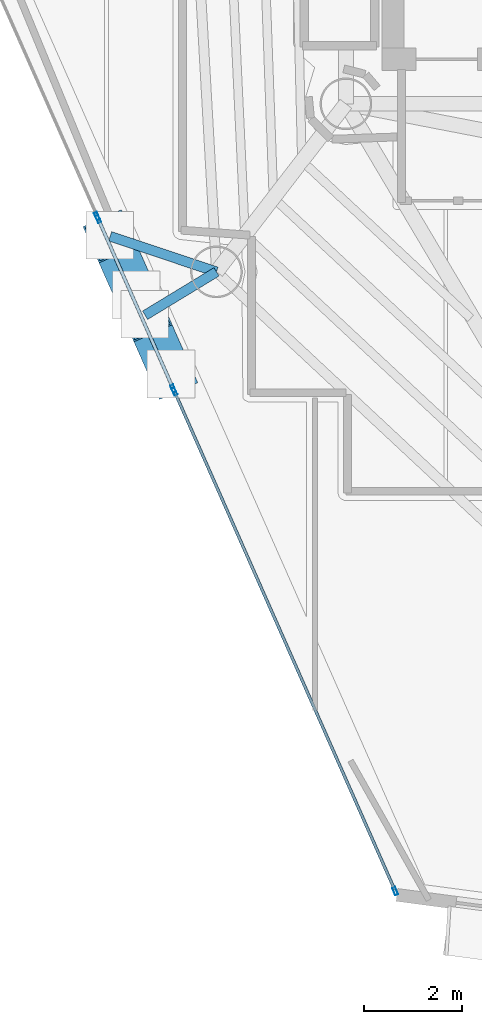
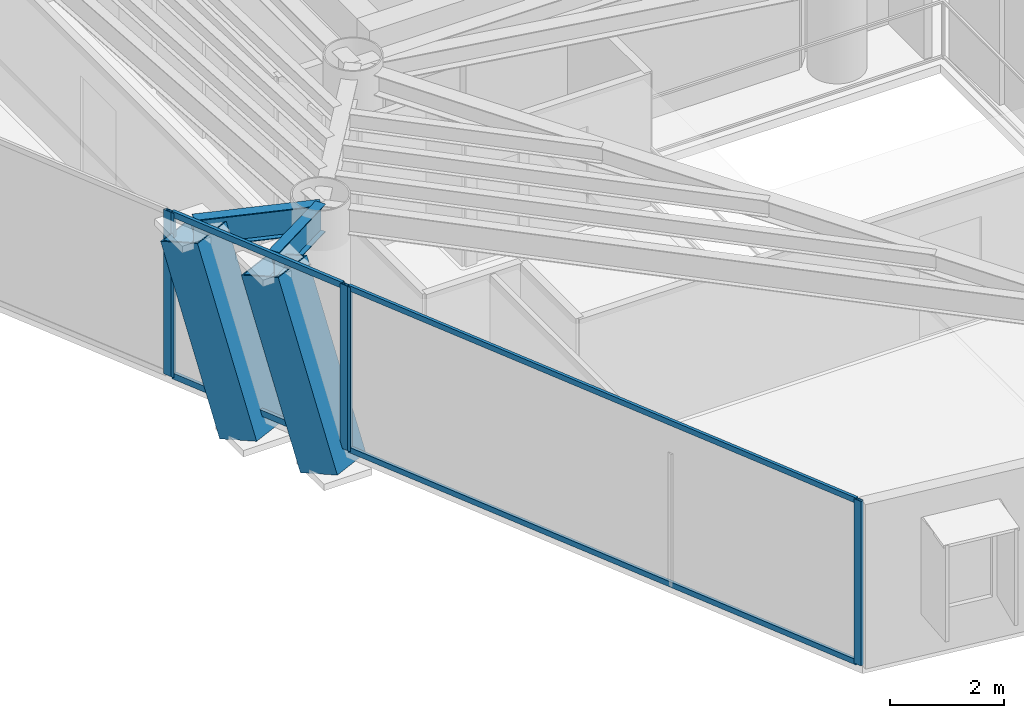
# One storey, part 2 of 21: 11 members, 2 beams, 3 elements without a shape of their own.
"""IFC4 building model written with IfcOpenShell, lengths in metres."""

from ifc_helpers import new_model, si_unit, direction, frame, origin, origin_2d, place, context, subcontext, project, spatial, hollow_rectangle, i_section, extrude, material, layer, layer_set, material_profile, profile_set, type_object, element, aggregate, save


model = new_model("IFC4")

# Units and contexts
model_context = context("Model", 3, precision=1e-05, world=origin(), true_north=direction((0.0, 1.0)))
body_context = subcontext(model_context, "Body", "Model", "MODEL_VIEW")
ifc_project = project(units=[si_unit("LENGTHUNIT", "METRE"), si_unit("AREAUNIT", "SQUARE_METRE"), si_unit("VOLUMEUNIT", "CUBIC_METRE"), si_unit("PLANEANGLEUNIT", "RADIAN"), si_unit("MASSUNIT", "GRAM", prefix="KILO")], contexts=[model_context])

# Site, building, storey
site_placement = place(None, origin())
site = spatial("IfcSite", under=ifc_project, at=site_placement, CompositionType="ELEMENT")
building_placement = place(site_placement, origin())
building = spatial("IfcBuilding", under=site, at=building_placement, Name="Qianvela Tower", CompositionType="ELEMENT")
storey_placement = place(building_placement, frame((0.0, 0.0, 250.10009765625)))
storey = spatial("IfcBuildingStorey", under=building, at=storey_placement, Name="L64", CompositionType="ELEMENT", Elevation=250.10009765625)

# Beams
ifc_material_1 = material(Name="Steel Q355B", Category="steel")
ifc_material_profile_1 = material_profile(ifc_material_1, i_section(OverallWidth=0.199951171875, OverallDepth=0.60009765625, WebThickness=0.010986328125, FlangeThickness=0.01708984375, at=origin_2d()), Name="HN600x200x11x17")
ifc_profile_set_1 = profile_set([ifc_material_profile_1], Name="Steel Q355B")
beam_type = type_object("IfcBeamType", Name="BM-HN600-GIRD", PredefinedType="BEAM", material=ifc_profile_set_1)
beam_1_placement = place(storey_placement, frame((25.971923828125, 20.43701171875, 3.218017578125), z_axis=(-0.948414831168, 0.31703202996, 0.0), x_axis=(-0.31703202996, -0.948414831168, 0.0)))
element("IfcBeam", 1, at=beam_1_placement, inside=storey, type_object=beam_type, Name="L64 Mega-Brace Column Tie Bracket F2-1", PredefinedType="BEAM", context=body_context, shape_type="SweptSolid", body=[
    extrude(i_section(OverallWidth=0.199951171875, OverallDepth=0.60009765625, WebThickness=0.010986328125, FlangeThickness=0.01708984375, at=origin_2d()), origin(), (0.0, 0.0, 1.0), 2.2763671875),
])
beam_2_placement = place(storey_placement, frame((25.971923828125, 20.43701171875, 3.218017578125), z_axis=(-0.854534459306, -0.519394703342, 0.0), x_axis=(0.519394703342, -0.854534459306, 0.0)))
element("IfcBeam", 2, at=beam_2_placement, inside=storey, type_object=beam_type, Name="L64 Mega-Brace Column Tie Bracket F2-2", PredefinedType="BEAM", context=body_context, shape_type="SweptSolid", body=[
    extrude(i_section(OverallWidth=0.199951171875, OverallDepth=0.60009765625, WebThickness=0.010986328125, FlangeThickness=0.01708984375, at=origin_2d()), origin(), (0.0, 0.0, 1.0), 1.697265625),
])

# Curtain wall, members
ifc_material_2 = material(Name="Anodised Architectural Aluminium and Insulated Spandrel Panel", Category="aluminium")
ifc_layer_1 = layer(ifc_material_2, 0.179931640625)
ifc_layer_set_1 = layer_set([ifc_layer_1], Name="Anodised Architectural Aluminium and Insulated Spandrel Panel")
curtain_wall_type_1 = type_object("IfcCurtainWallType", Name="CW-BRACEBAY", PredefinedType="USERDEFINED", material=ifc_layer_set_1)
curtain_wall_1_placement = place(storey_placement, origin())
curtain_wall_1 = element("IfcCurtainWall", 3, at=curtain_wall_1_placement, inside=storey, type_object=curtain_wall_type_1, Name="L64 CW-BRACEBAY Curtain Wall 04B", ObjectType="CURTAIN_WALL_SYSTEM", PredefinedType="USERDEFINED")
ifc_material_3 = material(Name="Anodised Architectural Aluminium 6063-T6", Category="aluminium")
ifc_material_profile_2 = material_profile(ifc_material_3, hollow_rectangle(XDim=0.06494140625, YDim=0.159912109375, WallThickness=0.0048828125, at=origin_2d()), Name="ALU-MULL-65x160")
ifc_profile_set_2 = profile_set([ifc_material_profile_2], Name="Anodised Architectural Aluminium 6063-T6")
member_type_1 = type_object("IfcMemberType", Name="CW-BRACEBAY-MULL", PredefinedType="MULLION", material=ifc_profile_set_2)
member_1_placement = place(storey_placement, frame((23.570556640625, 21.509765625, 0.0), z_axis=(0.0, 0.0, 1.0), x_axis=(0.914679420796, 0.404180104869, 0.0)))
member_1 = element("IfcMember", 4, at=member_1_placement, type_object=member_type_1, Name="CW-9 mullion 1", PredefinedType="MULLION", context=body_context, shape_type="SweptSolid", body=[
    extrude(hollow_rectangle(XDim=0.06494140625, YDim=0.159912109375, WallThickness=0.0048828125, at=origin_2d()), origin(), (0.0, 0.0, 1.0), 3.52001953125),
])
member_2_placement = place(storey_placement, frame((25.09228515625, 18.06591796875, 0.0), z_axis=(0.0, 0.0, 1.0), x_axis=(0.914679420796, 0.404180104869, 0.0)))
member_2 = element("IfcMember", 5, at=member_2_placement, type_object=member_type_1, Name="CW-9 mullion 2", PredefinedType="MULLION", context=body_context, shape_type="SweptSolid", body=[
    extrude(hollow_rectangle(XDim=0.06494140625, YDim=0.159912109375, WallThickness=0.0048828125, at=origin_2d()), origin(), (0.0, 0.0, 1.0), 3.52001953125),
])
ifc_material_4 = material(Name="Anodised Architectural Aluminium 6063-T6", Category="aluminium")
ifc_material_profile_3 = material_profile(ifc_material_4, hollow_rectangle(XDim=0.06494140625, YDim=0.1298828125, WallThickness=0.00439453125, at=origin_2d()), Name="ALU-TRAN-65x130")
ifc_profile_set_3 = profile_set([ifc_material_profile_3], Name="Anodised Architectural Aluminium 6063-T6")
member_type_2 = type_object("IfcMemberType", Name="CW-BRACEBAY-TRAN", PredefinedType="USERDEFINED", material=ifc_profile_set_3)
member_3_placement = place(storey_placement, frame((23.583740234375, 21.47998046875, 0.032470703125), z_axis=(0.404159996686, -0.91468830597, 0.0), x_axis=(0.91468830597, 0.404159996686, 0.0)))
member_3 = element("IfcMember", 6, at=member_3_placement, type_object=member_type_2, Name="CW-9 transom 1.1", ObjectType="TRANSOM", PredefinedType="USERDEFINED", context=body_context, shape_type="SweptSolid", body=[
    extrude(hollow_rectangle(XDim=0.06494140625, YDim=0.1298828125, WallThickness=0.00439453125, at=origin_2d()), origin(), (0.0, 0.0, 1.0), 3.699951171875),
])
member_4_placement = place(storey_placement, frame((23.583740234375, 21.47998046875, 3.4873046875), z_axis=(0.404159996686, -0.91468830597, 0.0), x_axis=(0.91468830597, 0.404159996686, 0.0)))
member_4 = element("IfcMember", 7, at=member_4_placement, type_object=member_type_2, Name="CW-9 transom 1.2", ObjectType="TRANSOM", PredefinedType="USERDEFINED", context=body_context, shape_type="SweptSolid", body=[
    extrude(hollow_rectangle(XDim=0.06494140625, YDim=0.1298828125, WallThickness=0.00439453125, at=origin_2d()), origin(), (0.0, 0.0, 1.0), 3.699951171875),
])
aggregate(curtain_wall_1, [member_1, member_2, member_3, member_4])

# Curtain wall, member
ifc_material_5 = material(Name="Anodised Architectural Aluminium and Low-E Glass", Category="aluminium")
ifc_layer_2 = layer(ifc_material_5, 0.159912109375)
ifc_layer_set_2 = layer_set([ifc_layer_2], Name="Anodised Architectural Aluminium and Low-E Glass")
curtain_wall_type_2 = type_object("IfcCurtainWallType", Name="CW-COLIV-Z56", PredefinedType="USERDEFINED", material=ifc_layer_set_2)
curtain_wall_2_placement = place(storey_placement, origin())
curtain_wall_2 = element("IfcCurtainWall", 8, at=curtain_wall_2_placement, inside=storey, type_object=curtain_wall_type_2, Name="L64 CW-COLIV-Z56 Curtain Wall 04A", ObjectType="CURTAIN_WALL_SYSTEM", PredefinedType="USERDEFINED")
ifc_material_6 = material(Name="Anodised Architectural Aluminium 6063-T6", Category="aluminium")
ifc_material_profile_4 = material_profile(ifc_material_6, hollow_rectangle(XDim=0.06494140625, YDim=0.159912109375, WallThickness=0.0048828125, at=origin_2d()), Name="ALU-MULL-65x160")
ifc_profile_set_4 = profile_set([ifc_material_profile_4], Name="Anodised Architectural Aluminium 6063-T6")
member_type_3 = type_object("IfcMemberType", Name="CW-COLIV-Z56-MULL", PredefinedType="MULLION", material=ifc_profile_set_4)
member_5_placement = place(storey_placement, frame((23.544189453125, 21.569091796875, 0.0), z_axis=(0.0, 0.0, 1.0), x_axis=(0.914678281633, 0.404182682841, 0.0)))
member_5 = element("IfcMember", 9, at=member_5_placement, type_object=member_type_3, Name="CW-5 mullion 2", PredefinedType="MULLION", context=body_context, shape_type="SweptSolid", body=[
    extrude(hollow_rectangle(XDim=0.06494140625, YDim=0.159912109375, WallThickness=0.0048828125, at=origin_2d()), origin(), (0.0, 0.0, 1.0), 3.52001953125),
])
aggregate(curtain_wall_2, [member_5])

# Curtain wall, members
curtain_wall_3_placement = place(storey_placement, origin())
curtain_wall_3 = element("IfcCurtainWall", 10, at=curtain_wall_3_placement, inside=storey, type_object=curtain_wall_type_2, Name="L64 CW-COLIV-Z56 Curtain Wall 04C", ObjectType="CURTAIN_WALL_SYSTEM", PredefinedType="USERDEFINED")
member_6_placement = place(storey_placement, frame((25.11865234375, 18.006591796875, 0.0), z_axis=(0.0, 0.0, 1.0), x_axis=(0.914677745271, 0.404183896643, 0.0)))
member_6 = element("IfcMember", 11, at=member_6_placement, type_object=member_type_3, Name="CW-5 mullion 1", PredefinedType="MULLION", context=body_context, shape_type="SweptSolid", body=[
    extrude(hollow_rectangle(XDim=0.06494140625, YDim=0.159912109375, WallThickness=0.0048828125, at=origin_2d()), origin(), (0.0, 0.0, 1.0), 3.52001953125),
])
member_7_placement = place(storey_placement, frame((29.603271484375, 7.857421875, 0.0), z_axis=(0.0, 0.0, 1.0), x_axis=(0.914677745271, 0.404183896643, 0.0)))
member_7 = element("IfcMember", 12, at=member_7_placement, type_object=member_type_3, Name="CW-5 mullion 2", PredefinedType="MULLION", context=body_context, shape_type="SweptSolid", body=[
    extrude(hollow_rectangle(XDim=0.06494140625, YDim=0.159912109375, WallThickness=0.0048828125, at=origin_2d()), origin(), (0.0, 0.0, 1.0), 3.52001953125),
])
ifc_material_7 = material(Name="Anodised Architectural Aluminium 6063-T6", Category="aluminium")
ifc_material_profile_5 = material_profile(ifc_material_7, hollow_rectangle(XDim=0.06005859375, YDim=0.114990234375, WallThickness=0.00390625, at=origin_2d()), Name="ALU-TRAN-60x115")
ifc_profile_set_5 = profile_set([ifc_material_profile_5], Name="Anodised Architectural Aluminium 6063-T6")
member_type_4 = type_object("IfcMemberType", Name="CW-COLIV-Z56-TRAN", PredefinedType="USERDEFINED", material=ifc_profile_set_5)
member_8_placement = place(storey_placement, frame((25.131591796875, 17.976806640625, 0.02978515625), z_axis=(0.404186671877, -0.914676518927, 0.0), x_axis=(0.914676518927, 0.404186671877, 0.0)))
member_8 = element("IfcMember", 13, at=member_8_placement, type_object=member_type_4, Name="CW-5 transom 1.1", ObjectType="TRANSOM", PredefinedType="USERDEFINED", context=body_context, shape_type="SweptSolid", body=[
    extrude(hollow_rectangle(XDim=0.06005859375, YDim=0.114990234375, WallThickness=0.00390625, at=origin_2d()), origin(), (0.0, 0.0, 1.0), 11.03076171875),
])
member_9_placement = place(storey_placement, frame((25.131591796875, 17.976806640625, 3.489990234375), z_axis=(0.404186671877, -0.914676518927, 0.0), x_axis=(0.914676518927, 0.404186671877, 0.0)))
member_9 = element("IfcMember", 14, at=member_9_placement, type_object=member_type_4, Name="CW-5 transom 1.2", ObjectType="TRANSOM", PredefinedType="USERDEFINED", context=body_context, shape_type="SweptSolid", body=[
    extrude(hollow_rectangle(XDim=0.06005859375, YDim=0.114990234375, WallThickness=0.00390625, at=origin_2d()), origin(), (0.0, 0.0, 1.0), 11.03076171875),
])
aggregate(curtain_wall_3, [member_6, member_7, member_8, member_9])

# Members
ifc_material_8 = material(Name="Steel Q420GJC", Category="steel")
ifc_material_profile_6 = material_profile(ifc_material_8, hollow_rectangle(XDim=0.85009765625, YDim=0.85009765625, WallThickness=0.031982421875, at=origin_2d()), Name="MBOX-850x850x32")
ifc_profile_set_6 = profile_set([ifc_material_profile_6], Name="Steel Q420GJC")
member_type_5 = type_object("IfcMemberType", Name="MBR-MBRACE-850", PredefinedType="BRACE", material=ifc_profile_set_6)
member_10_placement = place(storey_placement, frame((24.331787109375, 19.984619140625, -0.482177734375), z_axis=(-0.132464605458, 0.299775194187, 0.944768734268), x_axis=(-0.914680063101, -0.404178651298, 0.0)))
element("IfcMember", 15, at=member_10_placement, inside=storey, type_object=member_type_5, Name="L64 Tier 10 Exterior Mega-Brace F2A", PredefinedType="BRACE", context=body_context, shape_type="SweptSolid", body=[
    extrude(hollow_rectangle(XDim=0.85009765625, YDim=0.85009765625, WallThickness=0.031982421875, at=origin_2d()), origin(), (0.0, 0.0, 1.0), 3.91650390625),
])
member_11_placement = place(storey_placement, frame((25.0400390625, 18.3818359375, -0.482177734375), z_axis=(-0.132408309961, 0.299664193023, 0.944811838872), x_axis=(-0.914688240001, -0.404160145987, 0.0)))
element("IfcMember", 16, at=member_11_placement, inside=storey, type_object=member_type_5, Name="L64 Tier 10 Exterior Mega-Brace F2B", PredefinedType="BRACE", context=body_context, shape_type="SweptSolid", body=[
    extrude(hollow_rectangle(XDim=0.85009765625, YDim=0.85009765625, WallThickness=0.031982421875, at=origin_2d()), origin(), (0.0, 0.0, 1.0), 3.916259765625),
])

save(model, "model.ifc")
